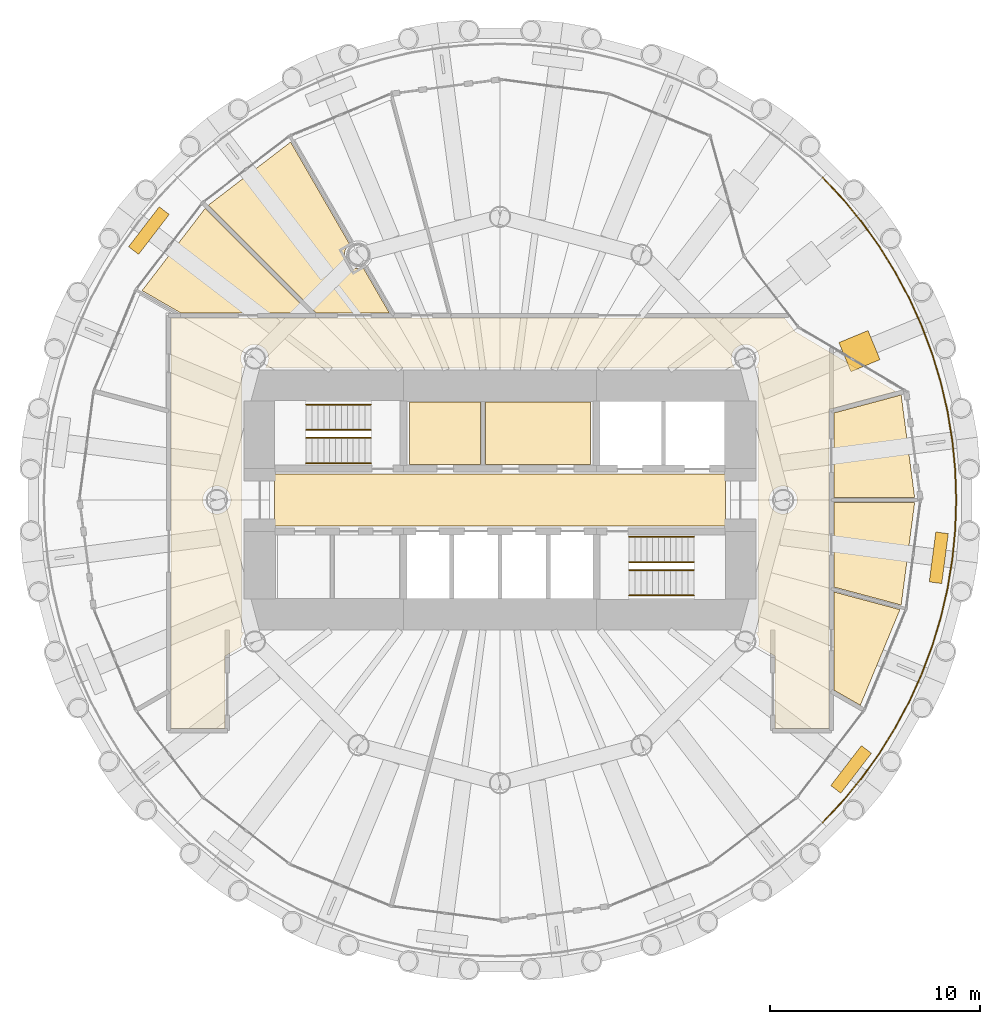
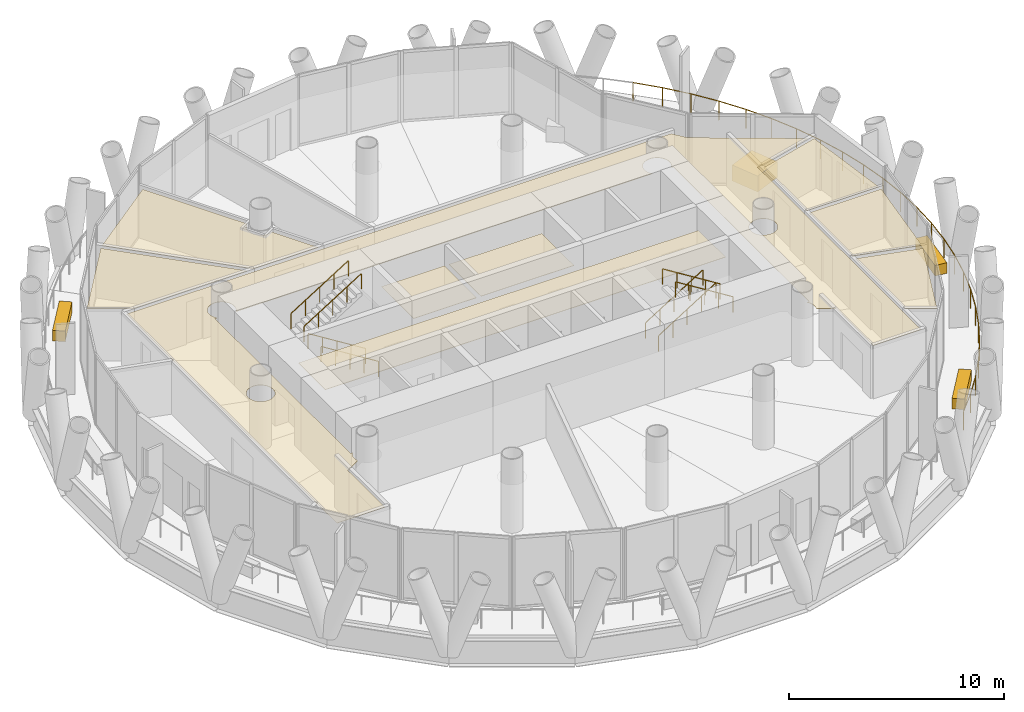
# One storey, part 13 of 14: 13 coverings, 9 railings.
"""IFC4 building model written with IfcOpenShell, lengths in metres."""

from ifc_helpers import new_model, si_unit, direction, frame, origin, origin_2d, place, context, subcontext, project, spatial, polyline, rectangle, circle, outline, extrude, material, layer, layer_set, type_object, element, save


model = new_model("IFC4")

# Units and contexts
model_context = context("Model", 3, precision=1e-05, world=origin(), true_north=direction((0.0, 1.0)))
body_context = subcontext(model_context, "Body", "Model", "MODEL_VIEW")
ifc_project = project(units=[si_unit("LENGTHUNIT", "METRE"), si_unit("AREAUNIT", "SQUARE_METRE"), si_unit("VOLUMEUNIT", "CUBIC_METRE"), si_unit("PLANEANGLEUNIT", "RADIAN"), si_unit("MASSUNIT", "GRAM", prefix="KILO")], contexts=[model_context])

# Site, building, storey
site_placement = place(None, origin())
site = spatial("IfcSite", under=ifc_project, at=site_placement, CompositionType="ELEMENT")
building_placement = place(site_placement, origin())
building = spatial("IfcBuilding", under=site, at=building_placement, Name="Qaws Media Tower", CompositionType="ELEMENT")
storey_placement = place(building_placement, frame((0.0, 0.0, 236.0)))
storey = spatial("IfcBuildingStorey", under=building, at=storey_placement, Name="L54", CompositionType="ELEMENT", Elevation=236.0)

# Covering
ifc_material_1 = material(Name="40 perforated acoustic panels with mineral wool backing, suspended", Category="mineral fibre")
ifc_layer_1 = layer(ifc_material_1, 0.0400390625)
ifc_layer_set_1 = layer_set([ifc_layer_1], Name="Acoustic panel ceiling 40")
covering_type_1 = type_object("IfcCoveringType", Name="Acoustic panel ceiling 40", PredefinedType="CEILING", material=ifc_layer_set_1)
covering_1_placement = place(storey_placement, frame((0.0, 0.0, 2.85009765625)))
element("IfcCovering", 1, at=covering_1_placement, inside=storey, type_object=covering_type_1, Name="CL3 ceiling L54-12 Meeting room", PredefinedType="CEILING", context=body_context, shape_type="SweptSolid", body=[
    extrude(outline(polyline([(79.1259765625, 44.99169921875), (75.91259765625, 45.852783203125), (75.91259765625, 49.887451171875), (79.7705078125, 49.887451171875), (79.1259765625, 44.99169921875)])), origin(), (0.0, 0.0, 1.0), 0.039794921875),
])

# Railing
ifc_material_2 = material(Name="Stainless steel and glass guard", Category="steel")
railing_type_1 = type_object("IfcRailingType", Name="Balcony guard 1100", PredefinedType="GUARDRAIL", material=ifc_material_2)
railing_placement = place(storey_placement, frame((75.379638671875, 34.620361328125, 0.0)))
element("IfcRailing", 2, at=railing_placement, inside=storey, type_object=railing_type_1, Name="GR1 balcony guard L54-4", PredefinedType="GUARDRAIL", context=body_context, shape_type="SweptSolid", body=[
    extrude(circle(Radius=0.02392578125, at=origin_2d()), frame((0.0, 0.0, 1.076171875), z_axis=(0.683570152286, 0.72988481756, 0.0), x_axis=(-0.72988481756, 0.683570152286, 0.0)), (0.0, 0.0, 1.0), 1.42333984375),
    extrude(circle(Radius=0.02392578125, at=origin_2d()), frame((0.972900390625, 1.038818359375, 1.076171875), z_axis=(0.63431135461, 0.773077683944, 0.0), x_axis=(-0.773077683944, 0.63431135461, 0.0)), (0.0, 0.0, 1.0), 1.42333984375),
    extrude(circle(Radius=0.02392578125, at=origin_2d()), frame((1.875732421875, 2.13916015625, 1.076171875), z_axis=(0.582568052269, 0.812781929226, 0.0), x_axis=(-0.812781929226, 0.582568052269, 0.0)), (0.0, 0.0, 1.0), 1.423095703125),
    extrude(circle(Radius=0.02392578125, at=origin_2d()), frame((2.704833984375, 3.2958984375, 1.076171875), z_axis=(0.527977591045, 0.849258301905, 0.0), x_axis=(-0.849258301905, 0.527977591045, 0.0)), (0.0, 0.0, 1.0), 1.42333984375),
    extrude(circle(Radius=0.02392578125, at=origin_2d()), frame((3.456298828125, 4.504638671875, 1.076171875), z_axis=(0.471540585059, 0.881844360782, 0.0), x_axis=(-0.881844360782, 0.471540585059, 0.0)), (0.0, 0.0, 1.0), 1.42333984375),
    extrude(circle(Radius=0.02392578125, at=origin_2d()), frame((4.12744140625, 5.759765625, 1.076171875), z_axis=(0.412717034944, 0.910859291585, 0.0), x_axis=(-0.910859291585, 0.412717034944, 0.0)), (0.0, 0.0, 1.0), 1.42333984375),
    extrude(circle(Radius=0.02392578125, at=origin_2d()), frame((4.71484375, 7.05615234375, 1.076171875), z_axis=(0.352119437145, 0.935955074768, 0.0), x_axis=(-0.935955074768, 0.352119437145, 0.0)), (0.0, 0.0, 1.0), 1.42333984375),
    extrude(circle(Radius=0.02392578125, at=origin_2d()), frame((5.216064453125, 8.388427734375, 1.076171875), z_axis=(0.290274025641, 0.956943566799, 0.0), x_axis=(-0.956943566799, 0.290274025641, 0.0)), (0.0, 0.0, 1.0), 1.423095703125),
    extrude(circle(Radius=0.02392578125, at=origin_2d()), frame((5.629150390625, 9.750244140625, 1.076171875), z_axis=(0.227088640267, 0.973874093229, 0.0), x_axis=(-0.973874093229, 0.227088640267, 0.0)), (0.0, 0.0, 1.0), 1.42333984375),
    extrude(circle(Radius=0.02392578125, at=origin_2d()), frame((5.952392578125, 11.136474609375, 1.076171875), z_axis=(0.162952405143, 0.986633930928, 0.0), x_axis=(-0.986633930928, 0.162952405143, 0.0)), (0.0, 0.0, 1.0), 1.42333984375),
    extrude(circle(Radius=0.02392578125, at=origin_2d()), frame((6.184326171875, 12.540771484375, 1.076171875), z_axis=(0.097957905396, 0.995190559024, 0.0), x_axis=(-0.995190559024, 0.097957905396, 0.0)), (0.0, 0.0, 1.0), 1.423095703125),
    extrude(circle(Radius=0.02392578125, at=origin_2d()), frame((6.32373046875, 13.95703125, 1.076171875), z_axis=(0.032760850332, 0.999463219276, 0.0), x_axis=(-0.999463219276, 0.032760850332, 0.0)), (0.0, 0.0, 1.0), 1.42333984375),
    extrude(circle(Radius=0.02392578125, at=origin_2d()), frame((6.370361328125, 15.379638671875, 1.076171875), z_axis=(-0.032760850332, 0.999463219276, 0.0), x_axis=(-0.999463219276, -0.032760850332, 0.0)), (0.0, 0.0, 1.0), 1.42333984375),
    extrude(circle(Radius=0.02392578125, at=origin_2d()), frame((6.32373046875, 16.80224609375, 1.076171875), z_axis=(-0.097957905396, 0.995190559024, 0.0), x_axis=(-0.995190559024, -0.097957905396, 0.0)), (0.0, 0.0, 1.0), 1.423095703125),
    extrude(circle(Radius=0.02392578125, at=origin_2d()), frame((6.184326171875, 18.218505859375, 1.076171875), z_axis=(-0.162952405143, 0.986633930928, 0.0), x_axis=(-0.986633930928, -0.162952405143, 0.0)), (0.0, 0.0, 1.0), 1.42333984375),
    extrude(circle(Radius=0.02392578125, at=origin_2d()), frame((5.952392578125, 19.622802734375, 1.076171875), z_axis=(-0.227088640267, 0.973874093229, 0.0), x_axis=(-0.973874093229, -0.227088640267, 0.0)), (0.0, 0.0, 1.0), 1.42333984375),
    extrude(circle(Radius=0.02392578125, at=origin_2d()), frame((5.629150390625, 21.009033203125, 1.076171875), z_axis=(-0.290274025641, 0.956943566799, 0.0), x_axis=(-0.956943566799, -0.290274025641, 0.0)), (0.0, 0.0, 1.0), 1.423095703125),
    extrude(circle(Radius=0.02392578125, at=origin_2d()), frame((5.216064453125, 22.370849609375, 1.076171875), z_axis=(-0.352119437145, 0.935955074768, 0.0), x_axis=(-0.935955074768, -0.352119437145, 0.0)), (0.0, 0.0, 1.0), 1.42333984375),
    extrude(circle(Radius=0.02392578125, at=origin_2d()), frame((4.71484375, 23.703125, 1.076171875), z_axis=(-0.412717034944, 0.910859291585, 0.0), x_axis=(-0.910859291585, -0.412717034944, 0.0)), (0.0, 0.0, 1.0), 1.42333984375),
    extrude(circle(Radius=0.02392578125, at=origin_2d()), frame((4.12744140625, 24.99951171875, 1.076171875), z_axis=(-0.471540585059, 0.881844360782, 0.0), x_axis=(-0.881844360782, -0.471540585059, 0.0)), (0.0, 0.0, 1.0), 1.42333984375),
    extrude(circle(Radius=0.02392578125, at=origin_2d()), frame((3.456298828125, 26.254638671875, 1.076171875), z_axis=(-0.527977591045, 0.849258301905, 0.0), x_axis=(-0.849258301905, -0.527977591045, 0.0)), (0.0, 0.0, 1.0), 1.42333984375),
    extrude(circle(Radius=0.02392578125, at=origin_2d()), frame((2.704833984375, 27.46337890625, 1.076171875), z_axis=(-0.582568052269, 0.812781929226, 0.0), x_axis=(-0.812781929226, -0.582568052269, 0.0)), (0.0, 0.0, 1.0), 1.423095703125),
    extrude(circle(Radius=0.02392578125, at=origin_2d()), frame((1.875732421875, 28.6201171875, 1.076171875), z_axis=(-0.63431135461, 0.773077683944, 0.0), x_axis=(-0.773077683944, -0.63431135461, 0.0)), (0.0, 0.0, 1.0), 1.42333984375),
    extrude(circle(Radius=0.02392578125, at=origin_2d()), frame((0.972900390625, 29.720458984375, 1.076171875), z_axis=(-0.683570152286, 0.72988481756, 0.0), x_axis=(-0.72988481756, -0.683570152286, 0.0)), (0.0, 0.0, 1.0), 1.42333984375),
    extrude(circle(Radius=0.02099609375, at=origin_2d()), origin(), (0.0, 0.0, 1.0), 1.052001953125),
    extrude(circle(Radius=0.02099609375, at=origin_2d()), frame((0.972900390625, 1.038818359375, 0.0)), (0.0, 0.0, 1.0), 1.052001953125),
    extrude(circle(Radius=0.02099609375, at=origin_2d()), frame((1.875732421875, 2.13916015625, 0.0)), (0.0, 0.0, 1.0), 1.052001953125),
    extrude(circle(Radius=0.02099609375, at=origin_2d()), frame((2.704833984375, 3.2958984375, 0.0)), (0.0, 0.0, 1.0), 1.052001953125),
    extrude(circle(Radius=0.02099609375, at=origin_2d()), frame((3.456298828125, 4.504638671875, 0.0)), (0.0, 0.0, 1.0), 1.052001953125),
    extrude(circle(Radius=0.02099609375, at=origin_2d()), frame((4.12744140625, 5.759765625, 0.0)), (0.0, 0.0, 1.0), 1.052001953125),
    extrude(circle(Radius=0.02099609375, at=origin_2d()), frame((4.71484375, 7.05615234375, 0.0)), (0.0, 0.0, 1.0), 1.052001953125),
    extrude(circle(Radius=0.02099609375, at=origin_2d()), frame((5.216064453125, 8.388427734375, 0.0)), (0.0, 0.0, 1.0), 1.052001953125),
    extrude(circle(Radius=0.02099609375, at=origin_2d()), frame((5.629150390625, 9.750244140625, 0.0)), (0.0, 0.0, 1.0), 1.052001953125),
    extrude(circle(Radius=0.02099609375, at=origin_2d()), frame((5.952392578125, 11.136474609375, 0.0)), (0.0, 0.0, 1.0), 1.052001953125),
    extrude(circle(Radius=0.02099609375, at=origin_2d()), frame((6.184326171875, 12.540771484375, 0.0)), (0.0, 0.0, 1.0), 1.052001953125),
    extrude(circle(Radius=0.02099609375, at=origin_2d()), frame((6.32373046875, 13.95703125, 0.0)), (0.0, 0.0, 1.0), 1.052001953125),
    extrude(circle(Radius=0.02099609375, at=origin_2d()), frame((6.370361328125, 15.379638671875, 0.0)), (0.0, 0.0, 1.0), 1.052001953125),
    extrude(circle(Radius=0.02099609375, at=origin_2d()), frame((6.32373046875, 16.80224609375, 0.0)), (0.0, 0.0, 1.0), 1.052001953125),
    extrude(circle(Radius=0.02099609375, at=origin_2d()), frame((6.184326171875, 18.218505859375, 0.0)), (0.0, 0.0, 1.0), 1.052001953125),
    extrude(circle(Radius=0.02099609375, at=origin_2d()), frame((5.952392578125, 19.622802734375, 0.0)), (0.0, 0.0, 1.0), 1.052001953125),
    extrude(circle(Radius=0.02099609375, at=origin_2d()), frame((5.629150390625, 21.009033203125, 0.0)), (0.0, 0.0, 1.0), 1.052001953125),
    extrude(circle(Radius=0.02099609375, at=origin_2d()), frame((5.216064453125, 22.370849609375, 0.0)), (0.0, 0.0, 1.0), 1.052001953125),
    extrude(circle(Radius=0.02099609375, at=origin_2d()), frame((4.71484375, 23.703125, 0.0)), (0.0, 0.0, 1.0), 1.052001953125),
    extrude(circle(Radius=0.02099609375, at=origin_2d()), frame((4.12744140625, 24.99951171875, 0.0)), (0.0, 0.0, 1.0), 1.052001953125),
    extrude(circle(Radius=0.02099609375, at=origin_2d()), frame((3.456298828125, 26.254638671875, 0.0)), (0.0, 0.0, 1.0), 1.052001953125),
    extrude(circle(Radius=0.02099609375, at=origin_2d()), frame((2.704833984375, 27.46337890625, 0.0)), (0.0, 0.0, 1.0), 1.052001953125),
    extrude(circle(Radius=0.02099609375, at=origin_2d()), frame((1.875732421875, 28.6201171875, 0.0)), (0.0, 0.0, 1.0), 1.052001953125),
    extrude(circle(Radius=0.02099609375, at=origin_2d()), frame((0.972900390625, 29.720458984375, 0.0)), (0.0, 0.0, 1.0), 1.052001953125),
    extrude(circle(Radius=0.02099609375, at=origin_2d()), frame((0.0, 30.75927734375, 0.0)), (0.0, 0.0, 1.0), 1.052001953125),
])

# Coverings
ifc_material_3 = material(Name="600 x 600 mineral fibre tiles in exposed grid, suspended", Category="mineral fibre")
ifc_layer_2 = layer(ifc_material_3, 0.02001953125)
ifc_layer_set_2 = layer_set([ifc_layer_2], Name="Mineral fibre tile ceiling 20")
covering_type_2 = type_object("IfcCoveringType", Name="Mineral fibre tile ceiling 20", PredefinedType="CEILING", material=ifc_layer_set_2)
covering_2_placement = place(storey_placement, frame((0.0, 0.0, 2.85009765625)))
element("IfcCovering", 3, at=covering_2_placement, inside=storey, type_object=covering_type_2, Name="CL1 ceiling L54-C07 Ladies toilets", PredefinedType="CEILING", context=body_context, shape_type="SweptSolid", body=[
    extrude(outline(polyline([(55.695068359375, 51.695068359375), (55.695068359375, 54.679931640625), (59.075439453125, 54.679931640625), (59.075439453125, 51.695068359375), (55.695068359375, 51.695068359375)])), origin(), (0.0, 0.0, 1.0), 0.02001953125),
])
covering_3_placement = place(storey_placement, frame((0.0, 0.0, 2.85009765625)))
element("IfcCovering", 4, at=covering_3_placement, inside=storey, type_object=covering_type_2, Name="CL1 ceiling L54-C08 Gents toilets", PredefinedType="CEILING", context=body_context, shape_type="SweptSolid", body=[
    extrude(outline(polyline([(59.3154296875, 51.695068359375), (59.3154296875, 54.679931640625), (64.304931640625, 54.679931640625), (64.304931640625, 51.695068359375), (59.3154296875, 51.695068359375)])), origin(), (0.0, 0.0, 1.0), 0.02001953125),
])
covering_4_placement = place(storey_placement, frame((0.0, 0.0, 2.85009765625)))
element("IfcCovering", 5, at=covering_4_placement, inside=storey, type_object=covering_type_2, Name="CL1 ceiling L54-01 Corridor", PredefinedType="CEILING", context=body_context, shape_type="SweptSolid", body=[
    extrude(outline(polyline([(44.3125, 39.112548828125), (44.3125, 58.6875), (73.560302734375, 58.6875), (74.068603515625, 58.02490234375), (78.876953125, 55.174560546875), (75.6875, 54.31982421875), (75.6875, 39.112548828125), (73.112548828125, 39.112548828125), (73.112548828125, 42.559326171875), (72.31689453125, 43.018798828125), (72.336669921875, 43.0771484375), (72.353515625, 43.162841796875), (72.359375, 43.25), (72.353515625, 43.337158203125), (72.336669921875, 43.4228515625), (72.30859375, 43.505615234375), (72.269775390625, 43.583984375), (72.22119140625, 43.65673828125), (72.1943359375, 43.6875), (72.3125, 43.6875), (72.3125, 56.3125), (72.1943359375, 56.3125), (72.22119140625, 56.34326171875), (72.269775390625, 56.416015625), (72.30859375, 56.494384765625), (72.336669921875, 56.5771484375), (72.353515625, 56.662841796875), (72.359375, 56.75), (72.353515625, 56.837158203125), (72.336669921875, 56.9228515625), (72.30859375, 57.005615234375), (72.269775390625, 57.083984375), (72.22119140625, 57.15673828125), (72.163818359375, 57.222412109375), (72.097900390625, 57.280029296875), (72.025390625, 57.32861328125), (71.947021484375, 57.3671875), (71.8642578125, 57.395263671875), (71.778564453125, 57.412353515625), (71.69140625, 57.41796875), (71.604248046875, 57.412353515625), (71.5185546875, 57.395263671875), (71.435791015625, 57.3671875), (71.357421875, 57.32861328125), (71.28466796875, 57.280029296875), (71.218994140625, 57.222412109375), (71.161376953125, 57.15673828125), (71.11279296875, 57.083984375), (71.07421875, 57.005615234375), (71.046142578125, 56.9228515625), (71.029052734375, 56.837158203125), (71.023193359375, 56.75), (71.029052734375, 56.662841796875), (71.046142578125, 56.5771484375), (71.07421875, 56.494384765625), (71.11279296875, 56.416015625), (71.161376953125, 56.34326171875), (71.1884765625, 56.3125), (48.8115234375, 56.3125), (48.838623046875, 56.34326171875), (48.88720703125, 56.416015625), (48.92578125, 56.494384765625), (48.953857421875, 56.5771484375), (48.970947265625, 56.662841796875), (48.976806640625, 56.75), (48.970947265625, 56.837158203125), (48.953857421875, 56.9228515625), (48.92578125, 57.005615234375), (48.88720703125, 57.083984375), (48.838623046875, 57.15673828125), (48.781005859375, 57.222412109375), (48.71533203125, 57.280029296875), (48.642578125, 57.32861328125), (48.564208984375, 57.3671875), (48.4814453125, 57.395263671875), (48.395751953125, 57.412353515625), (48.30859375, 57.41796875), (48.221435546875, 57.412353515625), (48.1357421875, 57.395263671875), (48.052978515625, 57.3671875), (47.974609375, 57.32861328125), (47.902099609375, 57.280029296875), (47.836181640625, 57.222412109375), (47.77880859375, 57.15673828125), (47.730224609375, 57.083984375), (47.69140625, 57.005615234375), (47.663330078125, 56.9228515625), (47.646484375, 56.837158203125), (47.640625, 56.75), (47.646484375, 56.662841796875), (47.663330078125, 56.5771484375), (47.69140625, 56.494384765625), (47.730224609375, 56.416015625), (47.77880859375, 56.34326171875), (47.8056640625, 56.3125), (47.6875, 56.3125), (47.6875, 43.6875), (47.8056640625, 43.6875), (47.77880859375, 43.65673828125), (47.730224609375, 43.583984375), (47.69140625, 43.505615234375), (47.663330078125, 43.4228515625), (47.646484375, 43.337158203125), (47.640625, 43.25), (47.646484375, 43.162841796875), (47.663330078125, 43.0771484375), (47.68310546875, 43.018798828125), (46.887451171875, 42.559326171875), (46.887451171875, 39.112548828125), (44.3125, 39.112548828125)]), holes=[polyline([(47.1171875, 49.744384765625), (47.145263671875, 49.8271484375), (47.162353515625, 49.912841796875), (47.16796875, 50.0), (47.162353515625, 50.087158203125), (47.145263671875, 50.1728515625), (47.1171875, 50.255615234375), (47.07861328125, 50.333984375), (47.030029296875, 50.40673828125), (46.972412109375, 50.472412109375), (46.90673828125, 50.530029296875), (46.833984375, 50.57861328125), (46.755615234375, 50.6171875), (46.6728515625, 50.645263671875), (46.587158203125, 50.662353515625), (46.5, 50.66796875), (46.412841796875, 50.662353515625), (46.3271484375, 50.645263671875), (46.244384765625, 50.6171875), (46.166015625, 50.57861328125), (46.09326171875, 50.530029296875), (46.027587890625, 50.472412109375), (45.969970703125, 50.40673828125), (45.92138671875, 50.333984375), (45.8828125, 50.255615234375), (45.854736328125, 50.1728515625), (45.837646484375, 50.087158203125), (45.83203125, 50.0), (45.837646484375, 49.912841796875), (45.854736328125, 49.8271484375), (45.8828125, 49.744384765625), (45.92138671875, 49.666015625), (45.969970703125, 49.59326171875), (46.027587890625, 49.527587890625), (46.09326171875, 49.469970703125), (46.166015625, 49.42138671875), (46.244384765625, 49.3828125), (46.3271484375, 49.354736328125), (46.412841796875, 49.337646484375), (46.5, 49.33203125), (46.587158203125, 49.337646484375), (46.6728515625, 49.354736328125), (46.755615234375, 49.3828125), (46.833984375, 49.42138671875), (46.90673828125, 49.469970703125), (46.972412109375, 49.527587890625), (47.030029296875, 49.59326171875), (47.07861328125, 49.666015625), (47.1171875, 49.744384765625)]), polyline([(74.145263671875, 49.8271484375), (74.162353515625, 49.912841796875), (74.16796875, 50.0), (74.162353515625, 50.087158203125), (74.145263671875, 50.1728515625), (74.1171875, 50.255615234375), (74.07861328125, 50.333984375), (74.030029296875, 50.40673828125), (73.972412109375, 50.472412109375), (73.90673828125, 50.530029296875), (73.833984375, 50.57861328125), (73.755615234375, 50.6171875), (73.6728515625, 50.645263671875), (73.587158203125, 50.662353515625), (73.5, 50.66796875), (73.412841796875, 50.662353515625), (73.3271484375, 50.645263671875), (73.244384765625, 50.6171875), (73.166015625, 50.57861328125), (73.09326171875, 50.530029296875), (73.027587890625, 50.472412109375), (72.969970703125, 50.40673828125), (72.92138671875, 50.333984375), (72.8828125, 50.255615234375), (72.854736328125, 50.1728515625), (72.837646484375, 50.087158203125), (72.83203125, 50.0), (72.837646484375, 49.912841796875), (72.854736328125, 49.8271484375), (72.8828125, 49.744384765625), (72.92138671875, 49.666015625), (72.969970703125, 49.59326171875), (73.027587890625, 49.527587890625), (73.09326171875, 49.469970703125), (73.166015625, 49.42138671875), (73.244384765625, 49.3828125), (73.3271484375, 49.354736328125), (73.412841796875, 49.337646484375), (73.5, 49.33203125), (73.587158203125, 49.337646484375), (73.6728515625, 49.354736328125), (73.755615234375, 49.3828125), (73.833984375, 49.42138671875), (73.90673828125, 49.469970703125), (73.972412109375, 49.527587890625), (74.030029296875, 49.59326171875), (74.07861328125, 49.666015625), (74.1171875, 49.744384765625), (74.145263671875, 49.8271484375)])]), origin(), (0.0, 0.0, 1.0), 0.02001953125),
])
covering_5_placement = place(storey_placement, frame((0.0, 0.0, 2.85009765625)))
element("IfcCovering", 6, at=covering_5_placement, inside=storey, type_object=covering_type_2, Name="CL1 ceiling L54-06 Office", PredefinedType="CEILING", context=body_context, shape_type="SweptSolid", body=[
    extrude(outline(polyline([(45.940673828125, 63.900390625), (50.928466796875, 58.91259765625), (44.7880859375, 58.91259765625), (42.9345703125, 59.982666015625), (45.940673828125, 63.900390625)])), origin(), (0.0, 0.0, 1.0), 0.02001953125),
])
covering_6_placement = place(storey_placement, frame((0.0, 0.0, 2.85009765625)))
element("IfcCovering", 7, at=covering_6_placement, inside=storey, type_object=covering_type_2, Name="CL1 ceiling L54-11 Tenant office", PredefinedType="CEILING", context=body_context, shape_type="SweptSolid", body=[
    extrude(outline(polyline([(77.177978515625, 40.212158203125), (75.91259765625, 40.94287109375), (75.91259765625, 45.619873046875), (79.067626953125, 44.7744140625), (77.177978515625, 40.212158203125)])), origin(), (0.0, 0.0, 1.0), 0.02001953125),
])
ifc_material_4 = material(Name="Precast concrete planter with trailing planting", Category="concrete")
ifc_layer_3 = layer(ifc_material_4, 0.60009765625)
ifc_layer_set_3 = layer_set([ifc_layer_3], Name="Planter 2400x600")
covering_type_3 = type_object("IfcCoveringType", Name="Planter 2400x600", PredefinedType="USERDEFINED", material=ifc_layer_set_3)
for number, where, z_axis, x_axis, name in (
    (8, (43.26025390625, 62.844970703125, 0.0), (0.0, 0.0, 1.0), (-0.608761429009, -0.793353340291, 0.0), "PL1 balcony planter L54-05"),
    (9, (76.73974609375, 37.155029296875, 0.0), (0.0, 0.0, 1.0), (0.608761429009, 0.793353340291, 0.0), "PL1 balcony planter L54-11"),
    (10, (80.91943359375, 47.245849609375, 0.0), (0.0, 0.0, 1.0), (0.13052619222, 0.991444861374, 0.0), "PL1 balcony planter L54-12"),
):
    element("IfcCovering", number, at=place(storey_placement, frame(where, z_axis=z_axis, x_axis=x_axis)), inside=storey, type_object=covering_type_3, Name=name, ObjectType="PLANTER", PredefinedType="USERDEFINED", context=body_context, shape_type="SweptSolid", body=[
        extrude(rectangle(XDim=2.39990234375, YDim=0.60009765625, at=origin_2d()), origin(), (0.0, 0.0, 1.0), 0.60009765625),
    ])
ifc_material_5 = material(Name="Two layers 12.5 moisture-resistant plasterboard on suspended metal furring", Category="gypsum")
ifc_layer_4 = layer(ifc_material_5, 0.02490234375)
ifc_layer_set_4 = layer_set([ifc_layer_4], Name="Plasterboard ceiling 25")
covering_type_4 = type_object("IfcCoveringType", Name="Plasterboard ceiling 25", PredefinedType="CEILING", material=ifc_layer_set_4)
covering_7_placement = place(storey_placement, frame((0.0, 0.0, 2.85009765625)))
element("IfcCovering", 11, at=covering_7_placement, inside=storey, type_object=covering_type_4, Name="CL2 ceiling L54-C01 Lift lobby", PredefinedType="CEILING", context=body_context, shape_type="SweptSolid", body=[
    extrude(outline(polyline([(49.25, 48.75), (49.25, 51.25), (70.75, 51.25), (70.75, 48.75), (49.25, 48.75)])), origin(), (0.0, 0.0, 1.0), 0.02490234375),
])
covering_8_placement = place(storey_placement, frame((0.0, 0.0, 2.85009765625)))
element("IfcCovering", 12, at=covering_8_placement, inside=storey, type_object=covering_type_4, Name="CL2 ceiling L54-02 Tenant reception", PredefinedType="CEILING", context=body_context, shape_type="SweptSolid", body=[
    extrude(outline(polyline([(79.7705078125, 50.112548828125), (75.91259765625, 50.112548828125), (75.91259765625, 54.147216796875), (79.1259765625, 55.00830078125), (79.7705078125, 50.112548828125)])), origin(), (0.0, 0.0, 1.0), 0.02490234375),
])
covering_9_placement = place(storey_placement, frame((0.0, 0.0, 2.85009765625)))
element("IfcCovering", 13, at=covering_9_placement, inside=storey, type_object=covering_type_4, Name="CL2 ceiling L54-05 Tenant reception", PredefinedType="CEILING", context=body_context, shape_type="SweptSolid", body=[
    extrude(outline(polyline([(50.017333984375, 67.0654296875), (52.823974609375, 62.204345703125), (52.777587890625, 62.163818359375), (52.719970703125, 62.097900390625), (52.67138671875, 62.025390625), (52.6328125, 61.947021484375), (52.604736328125, 61.8642578125), (52.587646484375, 61.778564453125), (52.58203125, 61.69140625), (52.587646484375, 61.604248046875), (52.604736328125, 61.5185546875), (52.6328125, 61.435791015625), (52.67138671875, 61.357421875), (52.719970703125, 61.28466796875), (52.777587890625, 61.218994140625), (52.84326171875, 61.161376953125), (52.916015625, 61.11279296875), (52.994384765625, 61.07421875), (53.0771484375, 61.046142578125), (53.162841796875, 61.029052734375), (53.25, 61.023193359375), (53.337158203125, 61.029052734375), (53.4228515625, 61.046142578125), (53.481201171875, 61.06591796875), (54.724609375, 58.91259765625), (51.24658203125, 58.91259765625), (46.099609375, 64.059326171875), (50.017333984375, 67.0654296875)])), origin(), (0.0, 0.0, 1.0), 0.02490234375),
])

# Railings
ifc_material_6 = material(Name="Steel tube handrail", Category="steel")
railing_type_2 = type_object("IfcRailingType", Name="Stair handrail 900", PredefinedType="HANDRAIL", material=ifc_material_6)
for number, where, name in (
    (14, (53.840087890625, 51.75, 0.175048828125), "HR1 handrail S1 flight 1 L54"),
    (15, (53.840087890625, 52.9599609375, 0.175048828125), "HR1 handrail S1 flight 1 L54"),
):
    element("IfcRailing", number, at=place(storey_placement, frame(where)), inside=storey, type_object=railing_type_2, Name=name, PredefinedType="HANDRAIL", context=body_context, shape_type="SweptSolid", body=[
        extrude(circle(Radius=0.02392578125, at=origin_2d()), frame((0.0, 0.0, 0.8759765625), z_axis=(-0.847998304005, 0.0, 0.529998940003), x_axis=(0.0, -1.0, 0.0)), (0.0, 0.0, 1.0), 3.632080078125),
        extrude(circle(Radius=0.02099609375, at=origin_2d()), origin(), (0.0, 0.0, 1.0), 0.851806640625),
        extrude(circle(Radius=0.02099609375, at=origin_2d()), frame((-0.77001953125, 0.0, 0.481201171875)), (0.0, 0.0, 1.0), 0.851806640625),
        extrude(circle(Radius=0.02099609375, at=origin_2d()), frame((-1.5400390625, 0.0, 0.96240234375)), (0.0, 0.0, 1.0), 0.851806640625),
        extrude(circle(Radius=0.02099609375, at=origin_2d()), frame((-2.31005859375, 0.0, 1.44384765625)), (0.0, 0.0, 1.0), 0.851806640625),
        extrude(circle(Radius=0.02099609375, at=origin_2d()), frame((-3.080078125, 0.0, 1.925048828125)), (0.0, 0.0, 1.0), 0.851806640625),
    ])
for number, where, name in (
    (16, (50.760009765625, 54.550048828125, 2.27490234375), "HR1 handrail S1 flight 2 L54"),
    (17, (50.760009765625, 53.340087890625, 2.27490234375), "HR1 handrail S1 flight 2 L54"),
    (18, (66.159912109375, 48.25, 0.175048828125), "HR1 handrail S2 flight 1 L54"),
    (19, (66.159912109375, 47.0400390625, 0.175048828125), "HR1 handrail S2 flight 1 L54"),
):
    element("IfcRailing", number, at=place(storey_placement, frame(where)), inside=storey, type_object=railing_type_2, Name=name, PredefinedType="HANDRAIL", context=body_context, shape_type="SweptSolid", body=[
        extrude(circle(Radius=0.02392578125, at=origin_2d()), frame((0.0, 0.0, 0.8759765625), z_axis=(0.847998304005, 0.0, 0.529998940003), x_axis=(0.0, 1.0, 0.0)), (0.0, 0.0, 1.0), 3.632080078125),
        extrude(circle(Radius=0.02099609375, at=origin_2d()), origin(), (0.0, 0.0, 1.0), 0.851806640625),
        extrude(circle(Radius=0.02099609375, at=origin_2d()), frame((0.77001953125, 0.0, 0.481201171875)), (0.0, 0.0, 1.0), 0.851806640625),
        extrude(circle(Radius=0.02099609375, at=origin_2d()), frame((1.5400390625, 0.0, 0.96240234375)), (0.0, 0.0, 1.0), 0.851806640625),
        extrude(circle(Radius=0.02099609375, at=origin_2d()), frame((2.31005859375, 0.0, 1.44384765625)), (0.0, 0.0, 1.0), 0.851806640625),
        extrude(circle(Radius=0.02099609375, at=origin_2d()), frame((3.080078125, 0.0, 1.925048828125)), (0.0, 0.0, 1.0), 0.851806640625),
    ])
for number, where, name in (
    (20, (69.239990234375, 45.449951171875, 2.27490234375), "HR1 handrail S2 flight 2 L54"),
    (21, (69.239990234375, 46.659912109375, 2.27490234375), "HR1 handrail S2 flight 2 L54"),
):
    element("IfcRailing", number, at=place(storey_placement, frame(where)), inside=storey, type_object=railing_type_2, Name=name, PredefinedType="HANDRAIL", context=body_context, shape_type="SweptSolid", body=[
        extrude(circle(Radius=0.02392578125, at=origin_2d()), frame((0.0, 0.0, 0.8759765625), z_axis=(-0.847998304005, 0.0, 0.529998940003), x_axis=(0.0, -1.0, 0.0)), (0.0, 0.0, 1.0), 3.632080078125),
        extrude(circle(Radius=0.02099609375, at=origin_2d()), origin(), (0.0, 0.0, 1.0), 0.851806640625),
        extrude(circle(Radius=0.02099609375, at=origin_2d()), frame((-0.77001953125, 0.0, 0.481201171875)), (0.0, 0.0, 1.0), 0.851806640625),
        extrude(circle(Radius=0.02099609375, at=origin_2d()), frame((-1.5400390625, 0.0, 0.96240234375)), (0.0, 0.0, 1.0), 0.851806640625),
        extrude(circle(Radius=0.02099609375, at=origin_2d()), frame((-2.31005859375, 0.0, 1.44384765625)), (0.0, 0.0, 1.0), 0.851806640625),
        extrude(circle(Radius=0.02099609375, at=origin_2d()), frame((-3.080078125, 0.0, 1.925048828125)), (0.0, 0.0, 1.0), 0.851806640625),
    ])

# Covering
ifc_material_7 = material(Name="Precast concrete tree planter", Category="concrete")
ifc_layer_5 = layer(ifc_material_7, 0.89990234375)
ifc_layer_set_5 = layer_set([ifc_layer_5], Name="Tree planter 1500")
covering_type_5 = type_object("IfcCoveringType", Name="Tree planter 1500", PredefinedType="USERDEFINED", material=ifc_layer_set_5)
covering_10_placement = place(storey_placement, frame((77.137939453125, 57.098876953125, 0.0), z_axis=(0.0, 0.0, 1.0), x_axis=(0.923879532511, 0.382683432365, 0.0)))
element("IfcCovering", 22, at=covering_10_placement, inside=storey, type_object=covering_type_5, Name="PL2 sky garden tree planter L54-1", ObjectType="PLANTER", PredefinedType="USERDEFINED", context=body_context, shape_type="SweptSolid", body=[
    extrude(rectangle(XDim=1.5, YDim=1.5, at=origin_2d()), origin(), (0.0, 0.0, 1.0), 0.89990234375),
])

save(model, "model.ifc")
